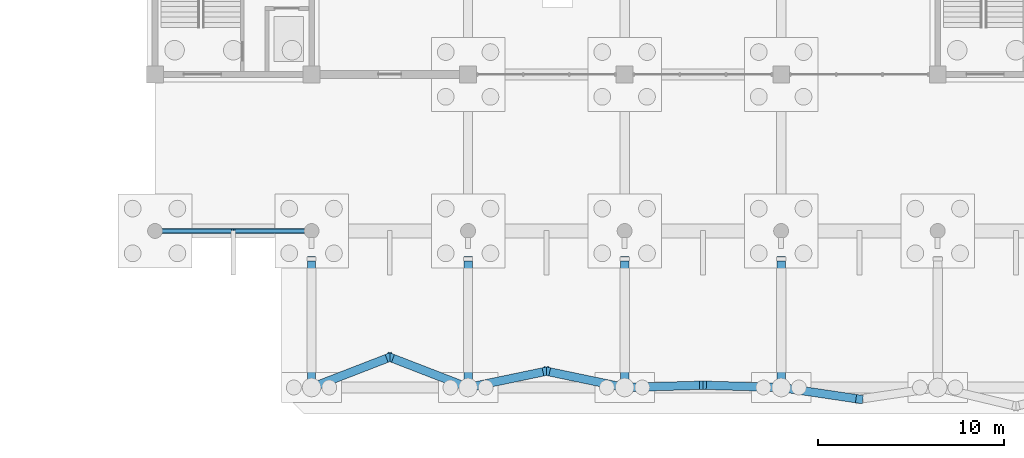
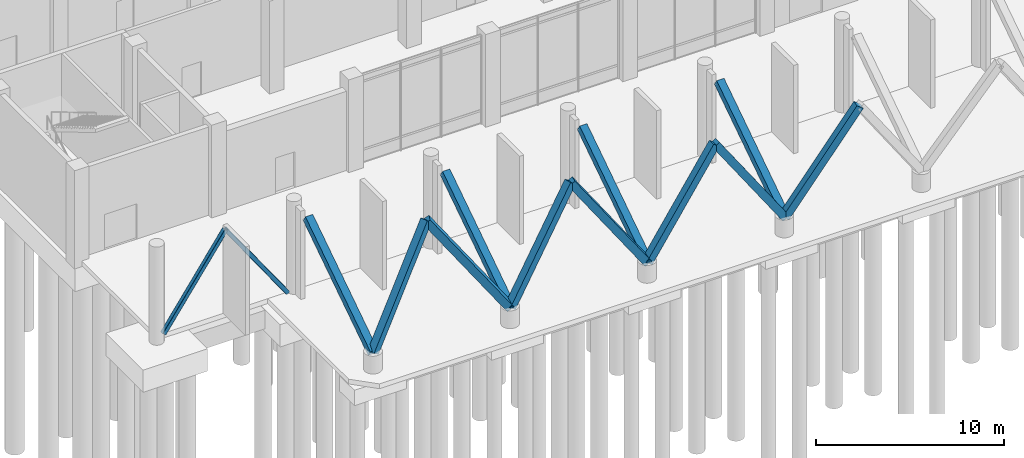
# One storey, part 15 of 72: 13 members.
"""IFC4 building model written with IfcOpenShell, lengths in metres."""

from ifc_helpers import new_model, si_unit, direction, frame, origin, origin_2d, place, context, subcontext, project, spatial, rectangle, hollow_rectangle, extrude, material, material_profile, profile_set, type_object, element, save


model = new_model("IFC4")

# Units and contexts
model_context = context("Model", 3, precision=1e-05, world=origin(), true_north=direction((0.0, 1.0)))
body_context = subcontext(model_context, "Body", "Model", "MODEL_VIEW")
ifc_project = project(units=[si_unit("LENGTHUNIT", "METRE"), si_unit("AREAUNIT", "SQUARE_METRE"), si_unit("VOLUMEUNIT", "CUBIC_METRE"), si_unit("PLANEANGLEUNIT", "RADIAN"), si_unit("MASSUNIT", "GRAM", prefix="KILO")], contexts=[model_context])

# Site, building, storey
site_placement = place(None, origin())
site = spatial("IfcSite", under=ifc_project, at=site_placement, CompositionType="ELEMENT")
building_placement = place(site_placement, origin())
building = spatial("IfcBuilding", under=site, at=building_placement, Name="Qawsi Khor Wholesale Market", CompositionType="ELEMENT")
storey_placement = place(building_placement, origin())
storey = spatial("IfcBuildingStorey", under=building, at=storey_placement, Name="L00", CompositionType="ELEMENT", Elevation=0.0)

# Members
ifc_material_1 = material(Name="Steel S355", Category="steel")
ifc_material_profile_1 = material_profile(ifc_material_1, hollow_rectangle(XDim=0.25, YDim=0.25, WallThickness=0.012451171875, InnerFilletRadius=0.012451171875, OuterFilletRadius=0.02490234375, at=origin_2d()), Name="SHS 250x250x12.5")
ifc_profile_set_1 = profile_set([ifc_material_profile_1], Name="Steel S355")
member_type_1 = type_object("IfcMemberType", Name="Lateral Portal Brace SHS 250x250x12.5", PredefinedType="BRACE", material=ifc_profile_set_1)
member_1_placement = place(storey_placement, frame((25.60009765625, 0.0, 0.0), z_axis=(0.574056291766, 0.0, 0.818815836366), x_axis=(0.0, 1.0, 0.0)))
element("IfcMember", 1, at=member_1_placement, inside=storey, type_object=member_type_1, Name="Portal K-brace 1A", PredefinedType="BRACE", context=body_context, shape_type="SweptSolid", body=[
    extrude(hollow_rectangle(XDim=0.25, YDim=0.25, WallThickness=0.012451171875, InnerFilletRadius=0.012451171875, OuterFilletRadius=0.02490234375, at=origin_2d()), origin(), (0.0, 0.0, 1.0), 6.619140625),
])
member_2_placement = place(storey_placement, frame((33.199951171875, 0.0, 0.0), z_axis=(-0.574081019933, 0.0, 0.818798499359), x_axis=(0.0, -1.0, 0.0)))
element("IfcMember", 2, at=member_2_placement, inside=storey, type_object=member_type_1, Name="Portal K-brace 1B", PredefinedType="BRACE", context=body_context, shape_type="SweptSolid", body=[
    extrude(hollow_rectangle(XDim=0.25, YDim=0.25, WallThickness=0.012451171875, InnerFilletRadius=0.012451171875, OuterFilletRadius=0.02490234375, at=origin_2d()), origin(), (0.0, 0.0, 1.0), 6.619384765625),
])
ifc_material_2 = material(Name="Concrete C40/50", Category="concrete")
ifc_material_profile_2 = material_profile(ifc_material_2, rectangle(XDim=0.449951171875, YDim=0.449951171875, at=origin_2d()), Name="RC 450x450")
ifc_profile_set_2 = profile_set([ifc_material_profile_2], Name="Concrete C40/50")
member_type_2 = type_object("IfcMemberType", Name="Sculpted Concrete V-Strut RC 450x450", PredefinedType="STRUT", material=ifc_profile_set_2)
for number, where, z_axis, x_axis, name in (
    (3, (33.60009765625, -8.39990234375, 1.050048828125), (0.552168016474, 0.213638918657, 0.805896329572), (-0.36084200687, 0.932626959764, 0.0), "Boulevard Raked Concrete V-Pier 04L"),
    (4, (42.0, -8.39990234375, 1.050048828125), (-0.552168016474, 0.213638918657, 0.805896329572), (-0.36084200687, -0.932626959764, 0.0), "Boulevard Raked Concrete V-Pier 04R"),
):
    element("IfcMember", number, at=place(storey_placement, frame(where, z_axis=z_axis, x_axis=x_axis)), inside=storey, type_object=member_type_2, Name=name, PredefinedType="STRUT", context=body_context, shape_type="SweptSolid", body=[
        extrude(rectangle(XDim=0.449951171875, YDim=0.449951171875, at=origin_2d()), origin(), (0.0, 0.0, 1.0), 7.606201171875),
    ])
member_3_placement = place(storey_placement, frame((33.60009765625, -8.39990234375, 1.050048828125), z_axis=(0.0, 0.833712125107, 0.552199323115), x_axis=(-1.0, 0.0, 0.0)))
element("IfcMember", 5, at=member_3_placement, inside=storey, type_object=member_type_2, Name="Boulevard Raked Concrete Back-Strut 04", PredefinedType="STRUT", context=body_context, shape_type="SweptSolid", body=[
    extrude(rectangle(XDim=0.449951171875, YDim=0.449951171875, at=origin_2d()), origin(), (0.0, 0.0, 1.0), 8.276123046875),
])
for number, where, z_axis, x_axis, name in (
    (6, (42.0, -8.39990234375, 1.050048828125), (0.561338931721, 0.116946970371, 0.819281398456), (-0.203956526624, 0.978979946295, 0.0), "Boulevard Raked Concrete V-Pier 05L"),
    (7, (50.39990234375, -8.39990234375, 1.050048828125), (-0.561338931721, 0.116946970371, 0.819281398456), (-0.203956526624, -0.978979946295, 0.0), "Boulevard Raked Concrete V-Pier 05R"),
):
    element("IfcMember", number, at=place(storey_placement, frame(where, z_axis=z_axis, x_axis=x_axis)), inside=storey, type_object=member_type_2, Name=name, PredefinedType="STRUT", context=body_context, shape_type="SweptSolid", body=[
        extrude(rectangle(XDim=0.449951171875, YDim=0.449951171875, at=origin_2d()), origin(), (0.0, 0.0, 1.0), 7.48193359375),
    ])
member_4_placement = place(storey_placement, frame((42.0, -8.39990234375, 1.050048828125), z_axis=(0.0, 0.833712125107, 0.552199323115), x_axis=(-1.0, 0.0, 0.0)))
element("IfcMember", 8, at=member_4_placement, inside=storey, type_object=member_type_2, Name="Boulevard Raked Concrete Back-Strut 05", PredefinedType="STRUT", context=body_context, shape_type="SweptSolid", body=[
    extrude(rectangle(XDim=0.449951171875, YDim=0.449951171875, at=origin_2d()), origin(), (0.0, 0.0, 1.0), 8.276123046875),
])
member_5_placement = place(storey_placement, frame((50.39990234375, -8.39990234375, 1.050048828125), z_axis=(0.56515976406, 0.016819448919, 0.824810006744), x_axis=(-0.02974735028, 0.99955744965, 0.0)))
element("IfcMember", 9, at=member_5_placement, inside=storey, type_object=member_type_2, Name="Boulevard Raked Concrete V-Pier 06L", PredefinedType="STRUT", context=body_context, shape_type="SweptSolid", body=[
    extrude(rectangle(XDim=0.449951171875, YDim=0.449951171875, at=origin_2d()), origin(), (0.0, 0.0, 1.0), 7.431884765625),
])
member_6_placement = place(storey_placement, frame((58.800048828125, -8.39990234375, 1.050048828125), z_axis=(-0.565137405579, 0.016819761184, 0.824825319961), x_axis=(-0.029749077945, -0.999557398233, 0.0)))
element("IfcMember", 10, at=member_6_placement, inside=storey, type_object=member_type_2, Name="Boulevard Raked Concrete V-Pier 06R", PredefinedType="STRUT", context=body_context, shape_type="SweptSolid", body=[
    extrude(rectangle(XDim=0.449951171875, YDim=0.449951171875, at=origin_2d()), origin(), (0.0, 0.0, 1.0), 7.431640625),
])
member_7_placement = place(storey_placement, frame((50.39990234375, -8.39990234375, 1.050048828125), z_axis=(0.0, 0.833712125107, 0.552199323115), x_axis=(-1.0, 0.0, 0.0)))
element("IfcMember", 11, at=member_7_placement, inside=storey, type_object=member_type_2, Name="Boulevard Raked Concrete Back-Strut 06", PredefinedType="STRUT", context=body_context, shape_type="SweptSolid", body=[
    extrude(rectangle(XDim=0.449951171875, YDim=0.449951171875, at=origin_2d()), origin(), (0.0, 0.0, 1.0), 8.276123046875),
])
member_8_placement = place(storey_placement, frame((58.800048828125, -8.39990234375, 1.050048828125), z_axis=(0.563228562384, -0.083814748573, 0.82203933874), x_axis=(0.147190427432, 0.989108173089, 0.0)))
element("IfcMember", 12, at=member_8_placement, inside=storey, type_object=member_type_2, Name="Boulevard Raked Concrete V-Pier 07L", PredefinedType="STRUT", context=body_context, shape_type="SweptSolid", body=[
    extrude(rectangle(XDim=0.449951171875, YDim=0.449951171875, at=origin_2d()), origin(), (0.0, 0.0, 1.0), 7.45703125),
])
member_9_placement = place(storey_placement, frame((58.800048828125, -8.39990234375, 1.050048828125), z_axis=(0.0, 0.833712125107, 0.552199323115), x_axis=(-1.0, 0.0, 0.0)))
element("IfcMember", 13, at=member_9_placement, inside=storey, type_object=member_type_2, Name="Boulevard Raked Concrete Back-Strut 07", PredefinedType="STRUT", context=body_context, shape_type="SweptSolid", body=[
    extrude(rectangle(XDim=0.449951171875, YDim=0.449951171875, at=origin_2d()), origin(), (0.0, 0.0, 1.0), 8.276123046875),
])

save(model, "model.ifc")
